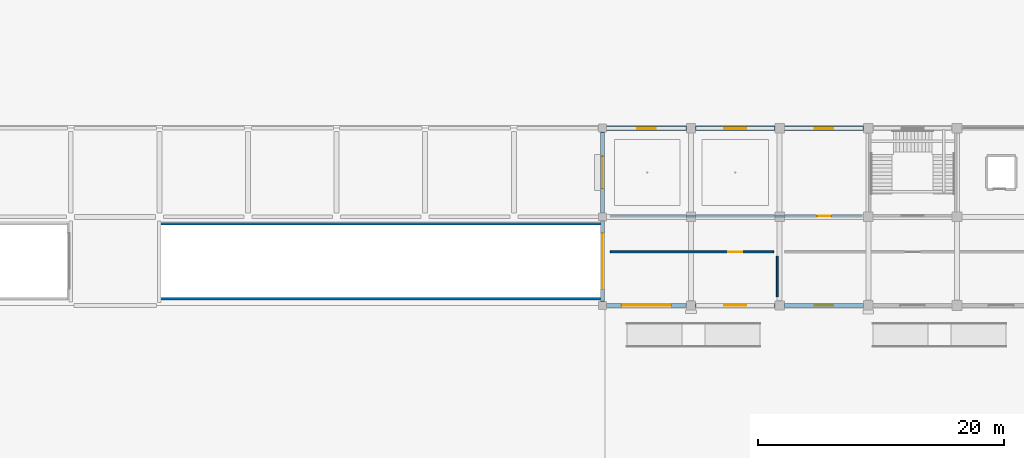
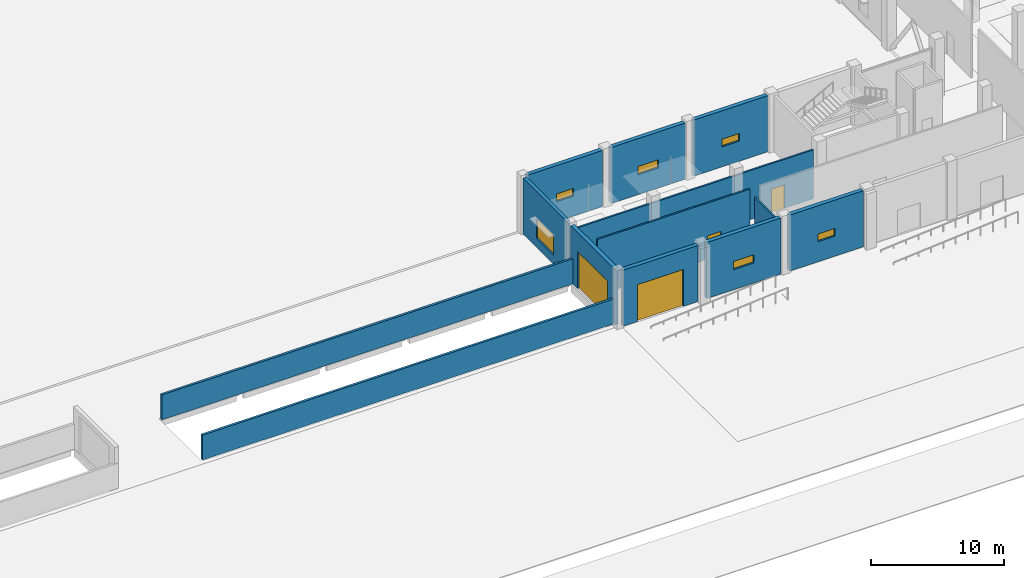
# One storey, part 59 of 90: 13 walls, 6 windows, 4 doors, 10 openings.
"""IFC4 building model written with IfcOpenShell, lengths in metres."""

from ifc_helpers import new_model, si_unit, direction, frame, frame_2d, origin, place, context, subcontext, project, spatial, rectangle, extrude, material, layer, layer_set, type_object, element, fill, save


model = new_model("IFC4")

# Units and contexts
model_context = context("Model", 3, precision=1e-05, world=origin(), true_north=direction((0.0, 1.0)))
body_context = subcontext(model_context, "Body", "Model", "MODEL_VIEW")
ifc_project = project(units=[si_unit("LENGTHUNIT", "METRE"), si_unit("AREAUNIT", "SQUARE_METRE"), si_unit("VOLUMEUNIT", "CUBIC_METRE"), si_unit("PLANEANGLEUNIT", "RADIAN"), si_unit("MASSUNIT", "GRAM", prefix="KILO")], contexts=[model_context])

# Site, building, storey
site_placement = place(None, origin())
site = spatial("IfcSite", under=ifc_project, at=site_placement, CompositionType="ELEMENT")
building_placement = place(site_placement, origin())
building = spatial("IfcBuilding", under=site, at=building_placement, Name="Kangsadwip Square Police Headquarters", CompositionType="ELEMENT")
storey_placement = place(building_placement, origin())
storey = spatial("IfcBuildingStorey", under=building, at=storey_placement, Name="L00", CompositionType="ELEMENT", Elevation=0.0)

# Wall
ifc_material_1 = material(Name="Autoclaved aerated concrete blockwork masonry", Category="masonry")
ifc_layer_1 = layer(ifc_material_1, 0.14990234375)
ifc_layer_set_1 = layer_set([ifc_layer_1], Name="Autoclaved aerated concrete blockwork masonry")
wall_type_1 = type_object("IfcWallType", Name="BlockPartition150", PredefinedType="PARTITIONING", material=ifc_layer_set_1)
wall_1_placement = place(storey_placement, frame((122.199951171875, 22.300048828125, 0.0), z_axis=(0.0, 0.0, 1.0), x_axis=(0.0, 1.0, 0.0)))
element("IfcWall", 1, at=wall_1_placement, inside=storey, type_object=wall_type_1, Name="Interior Wall WI-L00-0702", PredefinedType="PARTITIONING", context=body_context, shape_type="SweptSolid", body=[
    extrude(rectangle(XDim=3.300048828125, YDim=0.14990234375, at=frame_2d((1.64990234375, 0.0))), origin(), (0.0, 0.0, 1.0), 4.5),
])

# Wall, opening, door
wall_2_placement = place(storey_placement, frame((108.64990234375, 25.949951171875, 0.0), z_axis=(0.0, 0.0, 1.0), x_axis=(1.0, 0.0, 0.0)))
wall_2 = element("IfcWall", 2, at=wall_2_placement, inside=storey, type_object=wall_type_1, Name="Interior Wall WI-L00-0703", PredefinedType="PARTITIONING", context=body_context, shape_type="SweptSolid", body=[
    extrude(rectangle(XDim=13.25, YDim=0.14990234375, at=frame_2d((6.625, 0.0))), origin(), (0.0, 0.0, 1.0), 5.159912109375),
])
opening_1_placement = place(wall_2_placement, frame((9.580078125, 0.0, 0.0)))
opening_1 = element("IfcOpeningElement", 3, at=opening_1_placement, cuts=wall_2, Name="Opening FD-11", PredefinedType="OPENING", context=body_context, shape_type="SweptSolid", body=[
    extrude(rectangle(XDim=1.14990234375, YDim=2.14990234375, at=frame_2d((0.574951171875, 1.074951171875))), frame((0.0, 0.0849609375, 0.0), z_axis=(0.0, -1.0, 0.0), x_axis=(1.0, 0.0, 0.0)), (0.0, 0.0, 1.0), 0.169921875),
])
ifc_material_2 = material(Name="Insulated galvanized steel fire-rated door assembly", Category="steel")
door_type_1 = type_object("IfcDoorType", Name="CustodyCellDoor1150x2150", OperationType="NOTDEFINED", PredefinedType="DOOR", material=ifc_material_2)
door_1_placement = place(opening_1_placement, origin())
door_1 = element("IfcDoor", 4, at=door_1_placement, inside=storey, type_object=door_type_1, Name="Interior Door ID-L00-0150", OperationType="SINGLE_SWING_RIGHT", OverallHeight=2.14990234375, OverallWidth=1.14990234375, PredefinedType="DOOR", context=body_context, shape_type="SweptSolid", body=[
    extrude(rectangle(XDim=1.14990234375, YDim=2.14990234375, at=frame_2d((0.574951171875, 1.074951171875))), frame((0.0, 0.02490234375, 0.0), z_axis=(0.0, -1.0, 0.0), x_axis=(1.0, 0.0, 0.0)), (0.0, 0.0, 1.0), 0.050048828125),
])
fill(opening_1, door_1)

wall_3_placement = place(storey_placement, frame((108.64990234375, 28.85009765625, 0.0), z_axis=(0.0, 0.0, 1.0), x_axis=(1.0, 0.0, 0.0)))
wall_3 = element("IfcWall", 5, at=wall_3_placement, inside=storey, type_object=wall_type_1, Name="Interior Wall WI-L00-0706", PredefinedType="PARTITIONING", context=body_context, shape_type="SweptSolid", body=[
    extrude(rectangle(XDim=20.4501953125, YDim=0.14990234375, at=frame_2d((10.22509765625, 0.0))), origin(), (0.0, 0.0, 1.0), 4.5),
])
opening_2_placement = place(wall_3_placement, frame((16.7939453125, 0.0, 0.0)))
opening_2 = element("IfcOpeningElement", 6, at=opening_2_placement, cuts=wall_3, Name="Opening FD-11", PredefinedType="OPENING", context=body_context, shape_type="SweptSolid", body=[
    extrude(rectangle(XDim=1.14990234375, YDim=2.14990234375, at=frame_2d((0.574951171875, 1.074951171875))), frame((0.0, 0.0849609375, 0.0), z_axis=(0.0, -1.0, 0.0), x_axis=(1.0, 0.0, 0.0)), (0.0, 0.0, 1.0), 0.169921875),
])
door_2_placement = place(opening_2_placement, origin())
door_2 = element("IfcDoor", 7, at=door_2_placement, inside=storey, type_object=door_type_1, Name="Interior Door ID-L00-0152", OperationType="SINGLE_SWING_RIGHT", OverallHeight=2.14990234375, OverallWidth=1.14990234375, PredefinedType="DOOR", context=body_context, shape_type="SweptSolid", body=[
    extrude(rectangle(XDim=1.14990234375, YDim=2.14990234375, at=frame_2d((0.574951171875, 1.074951171875))), frame((0.0, 0.02490234375, 0.0), z_axis=(0.0, -1.0, 0.0), x_axis=(1.0, 0.0, 0.0)), (0.0, 0.0, 1.0), 0.050048828125),
])
fill(opening_2, door_2)

# Walls
ifc_material_3 = material(Name="Concrete M40 (40 MPa)", Category="concrete")
ifc_layer_2 = layer(ifc_material_3, 0.199951171875)
ifc_layer_set_2 = layer_set([ifc_layer_2], Name="Concrete M40 (40 MPa)")
wall_type_2 = type_object("IfcWallType", Name="CoreShearWall200", PredefinedType="SHEAR", material=ifc_layer_set_2)
for number, where, z_axis, x_axis, name in (
    (8, (72.10009765625, 22.14990234375, 0.0), (0.0, 0.0, 1.0), (1.0, 0.0, 0.0), "Interior Wall WI-L00-0006"),
    (9, (72.10009765625, 28.25, 0.0), (0.0, 0.0, 1.0), (1.0, 0.0, 0.0), "Interior Wall WI-L00-0008"),
):
    element("IfcWall", number, at=place(storey_placement, frame(where, z_axis=z_axis, x_axis=x_axis)), inside=storey, type_object=wall_type_2, Name=name, PredefinedType="SHEAR", context=body_context, shape_type="SweptSolid", body=[
        extrude(rectangle(XDim=35.89990234375, YDim=0.199951171875, at=frame_2d((17.949951171875, 0.0))), origin(), (0.0, 0.0, 1.0), 2.300048828125),
    ])

# Wall, opening, door
ifc_material_4 = material(Name="Concrete M40 (40 MPa)", Category="concrete")
ifc_layer_3 = layer(ifc_material_4, 0.35009765625)
ifc_layer_set_3 = layer_set([ifc_layer_3], Name="Concrete M40 (40 MPa)")
wall_type_3 = type_object("IfcWallType", Name="CustodyPerimeterWall350", PredefinedType="SOLIDWALL", material=ifc_layer_set_3)
wall_4_placement = place(storey_placement, frame((114.830078125, 21.60009765625, 0.0), z_axis=(0.0, 0.0, 1.0), x_axis=(-1.0, 0.0, 0.0)))
wall_4 = element("IfcWall", 10, at=wall_4_placement, inside=storey, type_object=wall_type_3, Name="Exterior Wall WE-L00-135", PredefinedType="SOLIDWALL", context=body_context, shape_type="SweptSolid", body=[
    extrude(rectangle(XDim=6.510009765625, YDim=0.35009765625, at=frame_2d((3.2548828125, 0.0))), origin(), (0.0, 0.0, 1.0), 5.159912109375),
])
opening_3_placement = place(wall_4_placement, frame((1.2548828125, 0.0, 0.0)))
opening_3 = element("IfcOpeningElement", 11, at=opening_3_placement, cuts=wall_4, Name="Opening VG-03", PredefinedType="OPENING", context=body_context, shape_type="SweptSolid", body=[
    extrude(rectangle(XDim=4.0, YDim=3.39990234375, at=frame_2d((2.0, 1.699951171875))), frame((0.0, 0.18505859375, 0.0), z_axis=(0.0, -1.0, 0.0), x_axis=(1.0, 0.0, 0.0)), (0.0, 0.0, 1.0), 0.3701171875),
])
ifc_material_5 = material(Name="Galvanized hollow-metal architectural steel door assembly", Category="steel")
door_type_2 = type_object("IfcDoorType", Name="SallyportArmouredGate4000x3400", OperationType="ROLLINGUP", PredefinedType="GATE", material=ifc_material_5)
door_3_placement = place(opening_3_placement, origin())
door_3 = element("IfcDoor", 12, at=door_3_placement, inside=storey, type_object=door_type_2, Name="Exterior Door VG-03", OperationType="SINGLE_SWING_LEFT", OverallHeight=3.39990234375, OverallWidth=4.0, PredefinedType="GATE", context=body_context, shape_type="SweptSolid", body=[
    extrude(rectangle(XDim=4.0, YDim=3.39990234375, at=frame_2d((2.0, 1.699951171875))), frame((0.0, 0.02490234375, 0.0), z_axis=(0.0, -1.0, 0.0), x_axis=(1.0, 0.0, 0.0)), (0.0, 0.0, 1.0), 0.050048828125),
])
fill(opening_3, door_3)

# Wall, opening, window
wall_5_placement = place(storey_placement, frame((115.570068359375, 21.60009765625, 0.0), z_axis=(0.0, 0.0, 1.0), x_axis=(1.0, 0.0, 0.0)))
wall_5 = element("IfcWall", 13, at=wall_5_placement, inside=storey, type_object=wall_type_3, Name="Exterior Wall WE-L00-136", PredefinedType="SOLIDWALL", context=body_context, shape_type="SweptSolid", body=[
    extrude(rectangle(XDim=6.4599609375, YDim=0.35009765625, at=frame_2d((3.22998046875, 0.0))), origin(), (0.0, 0.0, 1.0), 5.159912109375),
])
opening_4_placement = place(wall_5_placement, frame((2.330078125, 0.0, 1.85009765625)))
opening_4 = element("IfcOpeningElement", 14, at=opening_4_placement, cuts=wall_5, Name="Opening WN-16", PredefinedType="OPENING", context=body_context, shape_type="SweptSolid", body=[
    extrude(rectangle(XDim=1.800048828125, YDim=0.75, at=frame_2d((0.89990234375, 0.375))), frame((0.0, 0.18505859375, 0.0), z_axis=(0.0, -1.0, 0.0), x_axis=(1.0, 0.0, 0.0)), (0.0, 0.0, 1.0), 0.3701171875),
])
ifc_material_6 = material(Name="Double-glazed solar-control low-E safety glass", Category="glass")
window_type_1 = type_object("IfcWindowType", Name="CustodyClerestoryWin1800x750", PartitioningType="DOUBLE_PANEL_HORIZONTAL", PredefinedType="WINDOW", material=ifc_material_6)
window_1_placement = place(opening_4_placement, origin())
window_1 = element("IfcWindow", 15, at=window_1_placement, inside=storey, type_object=window_type_1, Name="Window WN-L00-0006", OverallHeight=0.75, OverallWidth=1.800048828125, PartitioningType="SINGLE_PANEL", PredefinedType="WINDOW", context=body_context, shape_type="SweptSolid", body=[
    extrude(rectangle(XDim=1.800048828125, YDim=0.75, at=frame_2d((0.89990234375, 0.375))), frame((0.0, 0.030029296875, 0.0), z_axis=(0.0, -1.0, 0.0), x_axis=(1.0, 0.0, 0.0)), (0.0, 0.0, 1.0), 0.06005859375),
])
fill(opening_4, window_1)

wall_6_placement = place(storey_placement, frame((122.77001953125, 21.60009765625, 0.0), z_axis=(0.0, 0.0, 1.0), x_axis=(1.0, 0.0, 0.0)))
wall_6 = element("IfcWall", 16, at=wall_6_placement, inside=storey, type_object=wall_type_3, Name="Exterior Wall WE-L00-137", PredefinedType="SOLIDWALL", context=body_context, shape_type="SweptSolid", body=[
    extrude(rectangle(XDim=6.43505859375, YDim=0.35009765625, at=frame_2d((3.217529296875, 0.0))), origin(), (0.0, 0.0, 1.0), 5.159912109375),
])
opening_5_placement = place(wall_6_placement, frame((2.467529296875, 0.0, 1.85009765625)))
opening_5 = element("IfcOpeningElement", 17, at=opening_5_placement, cuts=wall_6, Name="Opening WN-17", PredefinedType="OPENING", context=body_context, shape_type="SweptSolid", body=[
    extrude(rectangle(XDim=1.5, YDim=0.699951171875, at=frame_2d((0.75, 0.35009765625))), frame((0.0, 0.18505859375, 0.0), z_axis=(0.0, -1.0, 0.0), x_axis=(1.0, 0.0, 0.0)), (0.0, 0.0, 1.0), 0.3701171875),
])
ifc_material_7 = material(Name="Double-glazed solar-control low-E safety glass", Category="glass")
window_type_2 = type_object("IfcWindowType", Name="CustodyClerestoryWin1500x700", PartitioningType="SINGLE_PANEL", PredefinedType="WINDOW", material=ifc_material_7)
window_2_placement = place(opening_5_placement, origin())
window_2 = element("IfcWindow", 18, at=window_2_placement, inside=storey, type_object=window_type_2, Name="Window WN-L00-0007", OverallHeight=0.699951171875, OverallWidth=1.5, PartitioningType="SINGLE_PANEL", PredefinedType="WINDOW", context=body_context, shape_type="SweptSolid", body=[
    extrude(rectangle(XDim=1.5, YDim=0.699951171875, at=frame_2d((0.75, 0.35009765625))), frame((0.0, 0.030029296875, 0.0), z_axis=(0.0, -1.0, 0.0), x_axis=(1.0, 0.0, 0.0)), (0.0, 0.0, 1.0), 0.06005859375),
])
fill(opening_5, window_2)

wall_7_placement = place(storey_placement, frame((108.320068359375, 36.0, 0.0), z_axis=(0.0, 0.0, 1.0), x_axis=(1.0, 0.0, 0.0)))
wall_7 = element("IfcWall", 19, at=wall_7_placement, inside=storey, type_object=wall_type_3, Name="Exterior Wall WE-L00-144", PredefinedType="SOLIDWALL", context=body_context, shape_type="SweptSolid", body=[
    extrude(rectangle(XDim=6.510009765625, YDim=0.35009765625, at=frame_2d((3.2548828125, 0.0))), origin(), (0.0, 0.0, 1.0), 5.159912109375),
])
opening_6_placement = place(wall_7_placement, frame((2.5048828125, 0.0, 1.85009765625)))
opening_6 = element("IfcOpeningElement", 20, at=opening_6_placement, cuts=wall_7, Name="Opening WN-17", PredefinedType="OPENING", context=body_context, shape_type="SweptSolid", body=[
    extrude(rectangle(XDim=1.5, YDim=0.699951171875, at=frame_2d((0.75, 0.35009765625))), frame((0.0, 0.18505859375, 0.0), z_axis=(0.0, -1.0, 0.0), x_axis=(1.0, 0.0, 0.0)), (0.0, 0.0, 1.0), 0.3701171875),
])
window_3_placement = place(opening_6_placement, origin())
window_3 = element("IfcWindow", 21, at=window_3_placement, inside=storey, type_object=window_type_2, Name="Window WN-L00-0012", OverallHeight=0.699951171875, OverallWidth=1.5, PartitioningType="SINGLE_PANEL", PredefinedType="WINDOW", context=body_context, shape_type="SweptSolid", body=[
    extrude(rectangle(XDim=1.5, YDim=0.699951171875, at=frame_2d((0.75, 0.35009765625))), frame((0.0, 0.030029296875, 0.0), z_axis=(0.0, -1.0, 0.0), x_axis=(1.0, 0.0, 0.0)), (0.0, 0.0, 1.0), 0.06005859375),
])
fill(opening_6, window_3)

wall_8_placement = place(storey_placement, frame((115.570068359375, 36.0, 0.0), z_axis=(0.0, 0.0, 1.0), x_axis=(1.0, 0.0, 0.0)))
wall_8 = element("IfcWall", 22, at=wall_8_placement, inside=storey, type_object=wall_type_3, Name="Exterior Wall WE-L00-145", PredefinedType="SOLIDWALL", context=body_context, shape_type="SweptSolid", body=[
    extrude(rectangle(XDim=6.4599609375, YDim=0.35009765625, at=frame_2d((3.22998046875, 0.0))), origin(), (0.0, 0.0, 1.0), 5.159912109375),
])
opening_7_placement = place(wall_8_placement, frame((2.330078125, 0.0, 1.85009765625)))
opening_7 = element("IfcOpeningElement", 23, at=opening_7_placement, cuts=wall_8, Name="Opening WN-16", PredefinedType="OPENING", context=body_context, shape_type="SweptSolid", body=[
    extrude(rectangle(XDim=1.800048828125, YDim=0.75, at=frame_2d((0.89990234375, 0.375))), frame((0.0, 0.18505859375, 0.0), z_axis=(0.0, -1.0, 0.0), x_axis=(1.0, 0.0, 0.0)), (0.0, 0.0, 1.0), 0.3701171875),
])
window_4_placement = place(opening_7_placement, origin())
window_4 = element("IfcWindow", 24, at=window_4_placement, inside=storey, type_object=window_type_1, Name="Window WN-L00-0013", OverallHeight=0.75, OverallWidth=1.800048828125, PartitioningType="SINGLE_PANEL", PredefinedType="WINDOW", context=body_context, shape_type="SweptSolid", body=[
    extrude(rectangle(XDim=1.800048828125, YDim=0.75, at=frame_2d((0.89990234375, 0.375))), frame((0.0, 0.030029296875, 0.0), z_axis=(0.0, -1.0, 0.0), x_axis=(1.0, 0.0, 0.0)), (0.0, 0.0, 1.0), 0.06005859375),
])
fill(opening_7, window_4)

wall_9_placement = place(storey_placement, frame((122.77001953125, 36.0, 0.0), z_axis=(0.0, 0.0, 1.0), x_axis=(1.0, 0.0, 0.0)))
wall_9 = element("IfcWall", 25, at=wall_9_placement, inside=storey, type_object=wall_type_3, Name="Exterior Wall WE-L00-146", PredefinedType="SOLIDWALL", context=body_context, shape_type="SweptSolid", body=[
    extrude(rectangle(XDim=6.43505859375, YDim=0.35009765625, at=frame_2d((3.217529296875, 0.0))), origin(), (0.0, 0.0, 1.0), 5.159912109375),
])
opening_8_placement = place(wall_9_placement, frame((2.467529296875, 0.0, 1.85009765625)))
opening_8 = element("IfcOpeningElement", 26, at=opening_8_placement, cuts=wall_9, Name="Opening WN-17", PredefinedType="OPENING", context=body_context, shape_type="SweptSolid", body=[
    extrude(rectangle(XDim=1.5, YDim=0.699951171875, at=frame_2d((0.75, 0.35009765625))), frame((0.0, 0.18505859375, 0.0), z_axis=(0.0, -1.0, 0.0), x_axis=(1.0, 0.0, 0.0)), (0.0, 0.0, 1.0), 0.3701171875),
])
window_5_placement = place(opening_8_placement, origin())
window_5 = element("IfcWindow", 27, at=window_5_placement, inside=storey, type_object=window_type_2, Name="Window WN-L00-0014", OverallHeight=0.699951171875, OverallWidth=1.5, PartitioningType="SINGLE_PANEL", PredefinedType="WINDOW", context=body_context, shape_type="SweptSolid", body=[
    extrude(rectangle(XDim=1.5, YDim=0.699951171875, at=frame_2d((0.75, 0.35009765625))), frame((0.0, 0.030029296875, 0.0), z_axis=(0.0, -1.0, 0.0), x_axis=(1.0, 0.0, 0.0)), (0.0, 0.0, 1.0), 0.06005859375),
])
fill(opening_8, window_5)

# Wall, opening, door
wall_10_placement = place(storey_placement, frame((108.0, 21.919921875, 0.0), z_axis=(0.0, 0.0, 1.0), x_axis=(0.0, 1.0, 0.0)))
wall_10 = element("IfcWall", 28, at=wall_10_placement, inside=storey, type_object=wall_type_3, Name="Exterior Wall WE-L00-193", PredefinedType="SOLIDWALL", context=body_context, shape_type="SweptSolid", body=[
    extrude(rectangle(XDim=6.56005859375, YDim=0.35009765625, at=frame_2d((3.280029296875, 0.0))), origin(), (0.0, 0.0, 1.0), 5.159912109375),
])
opening_9_placement = place(wall_10_placement, frame((1.030029296875, 0.0, 0.0)))
opening_9 = element("IfcOpeningElement", 29, at=opening_9_placement, cuts=wall_10, Name="Opening VG-02", PredefinedType="OPENING", context=body_context, shape_type="SweptSolid", body=[
    extrude(rectangle(XDim=4.5, YDim=3.39990234375, at=frame_2d((2.25, 1.699951171875))), frame((0.0, 0.18505859375, 0.0), z_axis=(0.0, -1.0, 0.0), x_axis=(1.0, 0.0, 0.0)), (0.0, 0.0, 1.0), 0.3701171875),
])
ifc_material_8 = material(Name="Galvanized hollow-metal architectural steel door assembly", Category="steel")
door_type_3 = type_object("IfcDoorType", Name="FleetRampRollerGate4500x3400", OperationType="ROLLINGUP", PredefinedType="GATE", material=ifc_material_8)
door_4_placement = place(opening_9_placement, origin())
door_4 = element("IfcDoor", 30, at=door_4_placement, inside=storey, type_object=door_type_3, Name="Exterior Door VG-02", OperationType="SINGLE_SWING_LEFT", OverallHeight=3.39990234375, OverallWidth=4.5, PredefinedType="GATE", context=body_context, shape_type="SweptSolid", body=[
    extrude(rectangle(XDim=4.5, YDim=3.39990234375, at=frame_2d((2.25, 1.699951171875))), frame((0.0, 0.02490234375, 0.0), z_axis=(0.0, -1.0, 0.0), x_axis=(1.0, 0.0, 0.0)), (0.0, 0.0, 1.0), 0.050048828125),
])
fill(opening_9, door_4)

# Wall, opening, window
ifc_material_9 = material(Name="Glazed architectural terracotta masonry rainscreen", Category="masonry")
ifc_layer_4 = layer(ifc_material_9, 0.300048828125)
ifc_layer_set_4 = layer_set([ifc_layer_4], Name="Glazed architectural terracotta masonry rainscreen")
wall_type_4 = type_object("IfcWallType", Name="PlinthArcadeWall300", PredefinedType="SOLIDWALL", material=ifc_layer_set_4)
wall_11_placement = place(storey_placement, frame((108.0, 29.1201171875, 0.0), z_axis=(0.0, 0.0, 1.0), x_axis=(0.0, 1.0, 0.0)))
wall_11 = element("IfcWall", 31, at=wall_11_placement, inside=storey, type_object=wall_type_4, Name="Exterior Wall WE-L00-194", PredefinedType="SOLIDWALL", context=body_context, shape_type="SweptSolid", body=[
    extrude(rectangle(XDim=6.559814453125, YDim=0.300048828125, at=frame_2d((3.27978515625, 0.0))), origin(), (0.0, 0.0, 1.0), 5.159912109375),
])
opening_10_placement = place(wall_11_placement, frame((1.97998046875, 0.0, 0.85009765625)))
opening_10 = element("IfcOpeningElement", 32, at=opening_10_placement, cuts=wall_11, Name="Opening WN-06", PredefinedType="OPENING", context=body_context, shape_type="SweptSolid", body=[
    extrude(rectangle(XDim=2.60009765625, YDim=1.800048828125, at=frame_2d((1.300048828125, 0.89990234375))), frame((0.0, 0.159912109375, 0.0), z_axis=(0.0, -1.0, 0.0), x_axis=(1.0, 0.0, 0.0)), (0.0, 0.0, 1.0), 0.320068359375),
])
ifc_material_10 = material(Name="Double-glazed solar-control low-E safety glass", Category="glass")
window_type_3 = type_object("IfcWindowType", Name="ChicagoDoubleMullWin2600x1800", PartitioningType="DOUBLE_PANEL_VERTICAL", PredefinedType="WINDOW", material=ifc_material_10)
window_6_placement = place(opening_10_placement, origin())
window_6 = element("IfcWindow", 33, at=window_6_placement, inside=storey, type_object=window_type_3, Name="Window WN-L00-0049", OverallHeight=1.800048828125, OverallWidth=2.60009765625, PartitioningType="SINGLE_PANEL", PredefinedType="WINDOW", context=body_context, shape_type="SweptSolid", body=[
    extrude(rectangle(XDim=2.60009765625, YDim=1.800048828125, at=frame_2d((1.300048828125, 0.89990234375))), frame((0.0, 0.030029296875, 0.0), z_axis=(0.0, -1.0, 0.0), x_axis=(1.0, 0.0, 0.0)), (0.0, 0.0, 1.0), 0.06005859375),
])
fill(opening_10, window_6)

save(model, "model.ifc")
